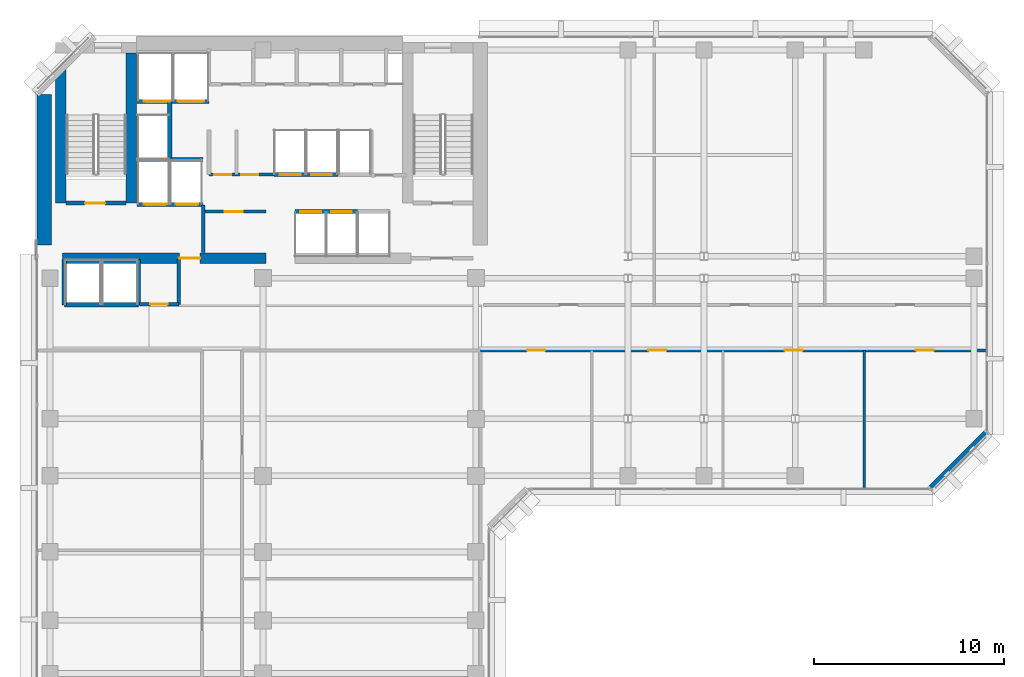
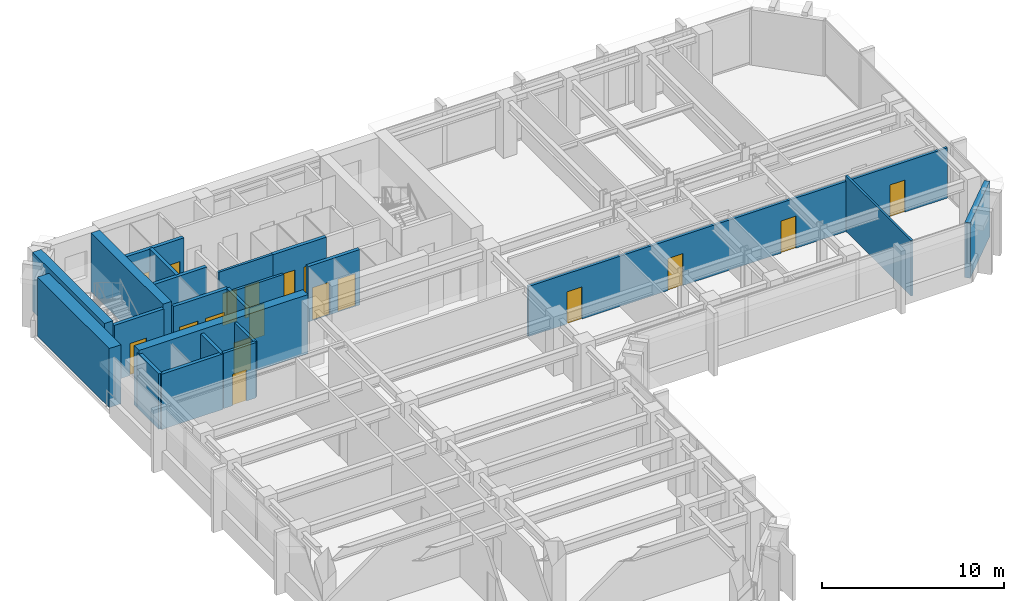
# One storey, part 7 of 11: 22 walls, 18 doors, 18 openings.
"""IFC4 building model written with IfcOpenShell, lengths in metres."""

from ifc_helpers import new_model, si_unit, direction, frame, frame_2d, origin, place, context, subcontext, project, spatial, rectangle, extrude, material, layer, layer_set, type_object, element, fill, save


model = new_model("IFC4")

# Units and contexts
model_context = context("Model", 3, precision=1e-05, world=origin(), true_north=direction((0.0, 1.0)))
body_context = subcontext(model_context, "Body", "Model", "MODEL_VIEW")
ifc_project = project(units=[si_unit("LENGTHUNIT", "METRE"), si_unit("AREAUNIT", "SQUARE_METRE"), si_unit("VOLUMEUNIT", "CUBIC_METRE"), si_unit("PLANEANGLEUNIT", "RADIAN"), si_unit("MASSUNIT", "GRAM", prefix="KILO")], contexts=[model_context])

# Site, building, storey
site_placement = place(None, origin())
site = spatial("IfcSite", under=ifc_project, at=site_placement, CompositionType="ELEMENT")
building_placement = place(site_placement, origin())
building = spatial("IfcBuilding", under=site, at=building_placement, Name="Kefirva Bronze Tower", CompositionType="ELEMENT")
storey_placement = place(building_placement, frame((0.0, 0.0, 158.72998046875)))
storey = spatial("IfcBuildingStorey", under=building, at=storey_placement, Name="L38", CompositionType="ELEMENT", Elevation=158.72998046875)

# Wall
ifc_material_1 = material(Name="Gypsum acoustic partition")
ifc_layer_1 = layer(ifc_material_1, 0.1298828125, Name="Gypsum acoustic partition")
ifc_layer_set_1 = layer_set([ifc_layer_1], Name="Gypsum acoustic partition")
wall_type_1 = type_object("IfcWallType", Name="Acoustic Office Partition 130mm", PredefinedType="PARTITIONING", material=ifc_layer_set_1)
wall_1_placement = place(storey_placement, frame((43.635498046875, 22.18994140625, 0.0), z_axis=(0.0, 0.0, 1.0), x_axis=(0.0, 1.0, 0.0)))
element("IfcWall", 1, at=wall_1_placement, inside=storey, type_object=wall_type_1, Name="L38 Partition W-L38-ESD3", PredefinedType="PARTITIONING", context=body_context, shape_type="SweptSolid", body=[
    extrude(rectangle(XDim=7.2099609375, YDim=0.1298828125, at=frame_2d((3.60498046875, 0.0))), origin(), (0.0, 0.0, 1.0), 3.7099609375),
])

# Wall, opening, door
ifc_material_2 = material(Name="Gypsum fireboard shaftwall")
ifc_layer_2 = layer(ifc_material_2, 0.219970703125, Name="Gypsum fireboard shaftwall")
ifc_layer_set_2 = layer_set([ifc_layer_2], Name="Gypsum fireboard shaftwall")
wall_type_2 = type_object("IfcWallType", Name="Fire-Rated Shaft Enclosure Wall 220mm", PredefinedType="PARTITIONING", material=ifc_layer_set_2)
wall_2_placement = place(storey_placement, frame((1.64990234375, 37.14990234375, 0.0), z_axis=(0.0, 0.0, 1.0), x_axis=(1.0, 0.0, 0.0)))
wall_2 = element("IfcWall", 2, at=wall_2_placement, inside=storey, type_object=wall_type_2, Name="L38 Partition W-L38-ST1S", PredefinedType="PARTITIONING", context=body_context, shape_type="SweptSolid", body=[
    extrude(rectangle(XDim=3.150146484375, YDim=0.219970703125, at=frame_2d((1.5751953125, 0.0))), origin(), (0.0, 0.0, 1.0), 3.7099609375),
])
opening_1_placement = place(wall_2_placement, frame((2.050048828125, 0.0, 0.0), z_axis=(0.0, 0.0, 1.0), x_axis=(-1.0, 0.0, 0.0)))
opening_1 = element("IfcOpeningElement", 3, at=opening_1_placement, cuts=wall_2, Name="Opening L38-D001", PredefinedType="OPENING", context=body_context, shape_type="SweptSolid", body=[
    extrude(rectangle(XDim=1.050048828125, YDim=2.14990234375, at=frame_2d((0.52490234375, 1.074951171875))), frame((0.0, 0.1201171875, 0.0), z_axis=(0.0, -1.0, 0.0), x_axis=(1.0, 0.0, 0.0)), (0.0, 0.0, 1.0), 0.239990234375),
])
ifc_material_3 = material(Name="Painted galvanized steel", Category="steel")
door_type_1 = type_object("IfcDoorType", Name="Fire Stair Enclosure Door 1050x2150 FD90S", OperationType="NOTDEFINED", PredefinedType="DOOR", material=ifc_material_3)
door_1_placement = place(opening_1_placement, origin())
door_1 = element("IfcDoor", 4, at=door_1_placement, inside=storey, type_object=door_type_1, Name="Door L38-D001", OperationType="SINGLE_SWING_RIGHT", OverallHeight=2.14990234375, OverallWidth=1.050048828125, PredefinedType="DOOR", context=body_context, shape_type="SweptSolid", body=[
    extrude(rectangle(XDim=1.050048828125, YDim=2.14990234375, at=frame_2d((0.52490234375, 1.074951171875))), frame((0.0, 0.02490234375, 0.0), z_axis=(0.0, -1.0, 0.0), x_axis=(1.0, 0.0, 0.0)), (0.0, 0.0, 1.0), 0.050048828125),
])
fill(opening_1, door_1)

# Wall, openings, doors
wall_3_placement = place(storey_placement, frame((5.3798828125, 37.080078125, 0.0), z_axis=(0.0, 0.0, 1.0), x_axis=(1.0, 0.0, 0.0)))
wall_3 = element("IfcWall", 5, at=wall_3_placement, inside=storey, type_object=wall_type_2, Name="L38 Partition W-L38-FFS", PredefinedType="PARTITIONING", context=body_context, shape_type="SweptSolid", body=[
    extrude(rectangle(XDim=3.460205078125, YDim=0.219970703125, at=frame_2d((1.72998046875, 0.0))), origin(), (0.0, 0.0, 1.0), 3.7099609375),
])
opening_2_placement = place(wall_3_placement, frame((1.550048828125, 0.0, 0.0), z_axis=(0.0, 0.0, 1.0), x_axis=(-1.0, 0.0, 0.0)))
opening_2 = element("IfcOpeningElement", 6, at=opening_2_placement, cuts=wall_3, Name="Opening L38-LD-FF1", PredefinedType="OPENING", context=body_context, shape_type="SweptSolid", body=[
    extrude(rectangle(XDim=1.199951171875, YDim=2.199951171875, at=frame_2d((0.60009765625, 1.10009765625))), frame((0.0, 0.1201171875, 0.0), z_axis=(0.0, -1.0, 0.0), x_axis=(1.0, 0.0, 0.0)), (0.0, 0.0, 1.0), 0.239990234375),
])
opening_3_placement = place(wall_3_placement, frame((3.219970703125, 0.0, 0.0), z_axis=(0.0, 0.0, 1.0), x_axis=(-1.0, 0.0, 0.0)))
opening_3 = element("IfcOpeningElement", 7, at=opening_3_placement, cuts=wall_3, Name="Opening L38-LD-FF2", PredefinedType="OPENING", context=body_context, shape_type="SweptSolid", body=[
    extrude(rectangle(XDim=1.199951171875, YDim=2.199951171875, at=frame_2d((0.60009765625, 1.10009765625))), frame((0.0, 0.1201171875, 0.0), z_axis=(0.0, -1.0, 0.0), x_axis=(1.0, 0.0, 0.0)), (0.0, 0.0, 1.0), 0.239990234375),
])
ifc_material_4 = material(Name="Stainless steel 316", Category="steel")
door_type_2 = type_object("IfcDoorType", Name="Firefighting Lift Sliding Door 1200x2200", OperationType="SLIDING_TO_RIGHT", PredefinedType="DOOR", material=ifc_material_4)
door_2_placement = place(opening_2_placement, origin())
door_2 = element("IfcDoor", 8, at=door_2_placement, inside=storey, type_object=door_type_2, Name="Door L38-LD-FF1", OperationType="SLIDING_TO_RIGHT", OverallHeight=2.199951171875, OverallWidth=1.199951171875, PredefinedType="DOOR", context=body_context, shape_type="SweptSolid", body=[
    extrude(rectangle(XDim=1.199951171875, YDim=2.199951171875, at=frame_2d((0.60009765625, 1.10009765625))), frame((0.0, 0.02490234375, 0.0), z_axis=(0.0, -1.0, 0.0), x_axis=(1.0, 0.0, 0.0)), (0.0, 0.0, 1.0), 0.050048828125),
])
fill(opening_2, door_2)
door_3_placement = place(opening_3_placement, origin())
door_3 = element("IfcDoor", 9, at=door_3_placement, inside=storey, type_object=door_type_2, Name="Door L38-LD-FF2", OperationType="SLIDING_TO_RIGHT", OverallHeight=2.199951171875, OverallWidth=1.199951171875, PredefinedType="DOOR", context=body_context, shape_type="SweptSolid", body=[
    extrude(rectangle(XDim=1.199951171875, YDim=2.199951171875, at=frame_2d((0.60009765625, 1.10009765625))), frame((0.0, 0.02490234375, 0.0), z_axis=(0.0, -1.0, 0.0), x_axis=(1.0, 0.0, 0.0)), (0.0, 0.0, 1.0), 0.050048828125),
])
fill(opening_3, door_3)

# Wall
wall_4_placement = place(storey_placement, frame((5.3798828125, 39.449951171875, 0.0), z_axis=(0.0, 0.0, 1.0), x_axis=(1.0, 0.0, 0.0)))
element("IfcWall", 10, at=wall_4_placement, inside=storey, type_object=wall_type_2, Name="L38 Partition W-L38-FFN", PredefinedType="PARTITIONING", context=body_context, shape_type="SweptSolid", body=[
    extrude(rectangle(XDim=3.460205078125, YDim=0.219970703125, at=frame_2d((1.72998046875, 0.0))), origin(), (0.0, 0.0, 1.0), 3.7099609375),
])

# Wall, openings, doors
wall_5_placement = place(storey_placement, frame((5.3798828125, 42.5, 0.0), z_axis=(0.0, 0.0, 1.0), x_axis=(1.0, 0.0, 0.0)))
wall_5 = element("IfcWall", 11, at=wall_5_placement, inside=storey, type_object=wall_type_2, Name="L38 Partition W-L38-SVS", PredefinedType="PARTITIONING", context=body_context, shape_type="SweptSolid", body=[
    extrude(rectangle(XDim=3.77001953125, YDim=0.219970703125, at=frame_2d((1.885009765625, 0.0))), origin(), (0.0, 0.0, 1.0), 3.7099609375),
])
opening_4_placement = place(wall_5_placement, frame((1.75, 0.0, 0.0), z_axis=(0.0, 0.0, 1.0), x_axis=(-1.0, 0.0, 0.0)))
opening_4 = element("IfcOpeningElement", 12, at=opening_4_placement, cuts=wall_5, Name="Opening L38-LD-SV1", PredefinedType="OPENING", context=body_context, shape_type="SweptSolid", body=[
    extrude(rectangle(XDim=1.39990234375, YDim=2.199951171875, at=frame_2d((0.699951171875, 1.10009765625))), frame((0.0, 0.1201171875, 0.0), z_axis=(0.0, -1.0, 0.0), x_axis=(1.0, 0.0, 0.0)), (0.0, 0.0, 1.0), 0.239990234375),
])
opening_5_placement = place(wall_5_placement, frame((3.52978515625, 0.0, 0.0), z_axis=(0.0, 0.0, 1.0), x_axis=(-1.0, 0.0, 0.0)))
opening_5 = element("IfcOpeningElement", 13, at=opening_5_placement, cuts=wall_5, Name="Opening L38-LD-SV2", PredefinedType="OPENING", context=body_context, shape_type="SweptSolid", body=[
    extrude(rectangle(XDim=1.39990234375, YDim=2.199951171875, at=frame_2d((0.699951171875, 1.10009765625))), frame((0.0, 0.1201171875, 0.0), z_axis=(0.0, -1.0, 0.0), x_axis=(1.0, 0.0, 0.0)), (0.0, 0.0, 1.0), 0.239990234375),
])
door_type_3 = type_object("IfcDoorType", Name="Goods Lift Bi-Parting Sliding Door 1400x2200", OperationType="SLIDING_TO_LEFT", PredefinedType="DOOR", material=ifc_material_4)
door_4_placement = place(opening_4_placement, origin())
door_4 = element("IfcDoor", 14, at=door_4_placement, inside=storey, type_object=door_type_3, Name="Door L38-LD-SV1", OperationType="SLIDING_TO_LEFT", OverallHeight=2.199951171875, OverallWidth=1.39990234375, PredefinedType="DOOR", context=body_context, shape_type="SweptSolid", body=[
    extrude(rectangle(XDim=1.39990234375, YDim=2.199951171875, at=frame_2d((0.699951171875, 1.10009765625))), frame((0.0, 0.02490234375, 0.0), z_axis=(0.0, -1.0, 0.0), x_axis=(1.0, 0.0, 0.0)), (0.0, 0.0, 1.0), 0.050048828125),
])
fill(opening_4, door_4)
door_5_placement = place(opening_5_placement, origin())
door_5 = element("IfcDoor", 15, at=door_5_placement, inside=storey, type_object=door_type_3, Name="Door L38-LD-SV2", OperationType="SLIDING_TO_LEFT", OverallHeight=2.199951171875, OverallWidth=1.39990234375, PredefinedType="DOOR", context=body_context, shape_type="SweptSolid", body=[
    extrude(rectangle(XDim=1.39990234375, YDim=2.199951171875, at=frame_2d((0.699951171875, 1.10009765625))), frame((0.0, 0.02490234375, 0.0), z_axis=(0.0, -1.0, 0.0), x_axis=(1.0, 0.0, 0.0)), (0.0, 0.0, 1.0), 0.050048828125),
])
fill(opening_5, door_5)

# Walls
wall_6_placement = place(storey_placement, frame((7.10009765625, 39.52001953125, 0.0), z_axis=(0.0, 0.0, 1.0), x_axis=(0.0, 1.0, 0.0)))
element("IfcWall", 16, at=wall_6_placement, inside=storey, type_object=wall_type_2, Name="L38 Partition W-L38-HP3E", PredefinedType="PARTITIONING", context=body_context, shape_type="SweptSolid", body=[
    extrude(rectangle(XDim=2.929931640625, YDim=0.219970703125, at=frame_2d((1.46484375, 0.0))), origin(), (0.0, 0.0, 1.0), 3.7099609375),
])
wall_7_placement = place(storey_placement, frame((1.550048828125, 31.800048828125, 0.0), z_axis=(0.0, 0.0, 1.0), x_axis=(1.0, 0.0, 0.0)))
element("IfcWall", 17, at=wall_7_placement, inside=storey, type_object=wall_type_2, Name="L38 Partition W-L38-OBS", PredefinedType="PARTITIONING", context=body_context, shape_type="SweptSolid", body=[
    extrude(rectangle(XDim=3.89990234375, YDim=0.219970703125, at=frame_2d((1.949951171875, 0.0))), origin(), (0.0, 0.0, 1.0), 3.7099609375),
])
for number, where, z_axis, x_axis, name in (
    (18, (1.550048828125, 31.800048828125, 0.0), (0.0, 0.0, 1.0), (0.0, 1.0, 0.0), "L38 Partition W-L38-OBW"),
    (19, (5.449951171875, 31.800048828125, 0.0), (0.0, 0.0, 1.0), (0.0, 1.0, 0.0), "L38 Partition W-L38-OBE"),
):
    element("IfcWall", number, at=place(storey_placement, frame(where, z_axis=z_axis, x_axis=x_axis)), inside=storey, type_object=wall_type_2, Name=name, PredefinedType="PARTITIONING", context=body_context, shape_type="SweptSolid", body=[
        extrude(rectangle(XDim=2.3798828125, YDim=0.219970703125, at=frame_2d((1.18994140625, 0.0))), origin(), (0.0, 0.0, 1.0), 3.7099609375),
    ])

# Wall, openings, doors
wall_8_placement = place(storey_placement, frame((13.679931640625, 36.699951171875, 0.0), z_axis=(0.0, 0.0, 1.0), x_axis=(1.0, 0.0, 0.0)))
wall_8 = element("IfcWall", 20, at=wall_8_placement, inside=storey, type_object=wall_type_2, Name="L38 Partition W-L38-MPS", PredefinedType="PARTITIONING", context=body_context, shape_type="SweptSolid", body=[
    extrude(rectangle(XDim=3.280029296875, YDim=0.219970703125, at=frame_2d((1.64013671875, 0.0))), origin(), (0.0, 0.0, 1.0), 3.7099609375),
])
opening_6_placement = place(wall_8_placement, frame((0.280029296875, 0.0, 0.0)))
opening_6 = element("IfcOpeningElement", 21, at=opening_6_placement, cuts=wall_8, Name="Opening L38-LD-MP1", PredefinedType="OPENING", context=body_context, shape_type="SweptSolid", body=[
    extrude(rectangle(XDim=1.10009765625, YDim=2.199951171875, at=frame_2d((0.550048828125, 1.10009765625))), frame((0.0, 0.1201171875, 0.0), z_axis=(0.0, -1.0, 0.0), x_axis=(1.0, 0.0, 0.0)), (0.0, 0.0, 1.0), 0.239990234375),
])
opening_7_placement = place(wall_8_placement, frame((1.89990234375, 0.0, 0.0)))
opening_7 = element("IfcOpeningElement", 22, at=opening_7_placement, cuts=wall_8, Name="Opening L38-LD-MP2", PredefinedType="OPENING", context=body_context, shape_type="SweptSolid", body=[
    extrude(rectangle(XDim=1.10009765625, YDim=2.199951171875, at=frame_2d((0.550048828125, 1.10009765625))), frame((0.0, 0.1201171875, 0.0), z_axis=(0.0, -1.0, 0.0), x_axis=(1.0, 0.0, 0.0)), (0.0, 0.0, 1.0), 0.239990234375),
])
door_type_4 = type_object("IfcDoorType", Name="Passenger Lift Sliding Landing Door 1100x2200", OperationType="SLIDING_TO_LEFT", PredefinedType="DOOR", material=ifc_material_4)
door_6_placement = place(opening_6_placement, origin())
door_6 = element("IfcDoor", 23, at=door_6_placement, inside=storey, type_object=door_type_4, Name="Door L38-LD-MP1", OperationType="SLIDING_TO_RIGHT", OverallHeight=2.199951171875, OverallWidth=1.10009765625, PredefinedType="DOOR", context=body_context, shape_type="SweptSolid", body=[
    extrude(rectangle(XDim=1.10009765625, YDim=2.199951171875, at=frame_2d((0.550048828125, 1.10009765625))), frame((0.0, 0.02490234375, 0.0), z_axis=(0.0, -1.0, 0.0), x_axis=(1.0, 0.0, 0.0)), (0.0, 0.0, 1.0), 0.050048828125),
])
fill(opening_6, door_6)
door_7_placement = place(opening_7_placement, origin())
door_7 = element("IfcDoor", 24, at=door_7_placement, inside=storey, type_object=door_type_4, Name="Door L38-LD-MP2", OperationType="SLIDING_TO_RIGHT", OverallHeight=2.199951171875, OverallWidth=1.10009765625, PredefinedType="DOOR", context=body_context, shape_type="SweptSolid", body=[
    extrude(rectangle(XDim=1.10009765625, YDim=2.199951171875, at=frame_2d((0.550048828125, 1.10009765625))), frame((0.0, 0.02490234375, 0.0), z_axis=(0.0, -1.0, 0.0), x_axis=(1.0, 0.0, 0.0)), (0.0, 0.0, 1.0), 0.050048828125),
])
fill(opening_7, door_7)

wall_9_placement = place(storey_placement, frame((12.580078125, 38.64990234375, 0.0), z_axis=(0.0, 0.0, 1.0), x_axis=(1.0, 0.0, 0.0)))
wall_9 = element("IfcWall", 25, at=wall_9_placement, inside=storey, type_object=wall_type_2, Name="L38 Partition W-L38-MPN", PredefinedType="PARTITIONING", context=body_context, shape_type="SweptSolid", body=[
    extrude(rectangle(XDim=3.3798828125, YDim=0.219970703125, at=frame_2d((1.68994140625, 0.0))), origin(), (0.0, 0.0, 1.0), 3.7099609375),
])
opening_8_placement = place(wall_9_placement, frame((0.300048828125, 0.0, 0.0)))
opening_8 = element("IfcOpeningElement", 26, at=opening_8_placement, cuts=wall_9, Name="Opening L38-LD-MP3", PredefinedType="OPENING", context=body_context, shape_type="SweptSolid", body=[
    extrude(rectangle(XDim=1.10009765625, YDim=2.199951171875, at=frame_2d((0.550048828125, 1.10009765625))), frame((0.0, 0.1201171875, 0.0), z_axis=(0.0, -1.0, 0.0), x_axis=(1.0, 0.0, 0.0)), (0.0, 0.0, 1.0), 0.239990234375),
])
opening_9_placement = place(wall_9_placement, frame((1.949951171875, 0.0, 0.0)))
opening_9 = element("IfcOpeningElement", 27, at=opening_9_placement, cuts=wall_9, Name="Opening L38-LD-MP4", PredefinedType="OPENING", context=body_context, shape_type="SweptSolid", body=[
    extrude(rectangle(XDim=1.10009765625, YDim=2.199951171875, at=frame_2d((0.550048828125, 1.10009765625))), frame((0.0, 0.1201171875, 0.0), z_axis=(0.0, -1.0, 0.0), x_axis=(1.0, 0.0, 0.0)), (0.0, 0.0, 1.0), 0.239990234375),
])
door_8_placement = place(opening_8_placement, origin())
door_8 = element("IfcDoor", 28, at=door_8_placement, inside=storey, type_object=door_type_4, Name="Door L38-LD-MP3", OperationType="SLIDING_TO_RIGHT", OverallHeight=2.199951171875, OverallWidth=1.10009765625, PredefinedType="DOOR", context=body_context, shape_type="SweptSolid", body=[
    extrude(rectangle(XDim=1.10009765625, YDim=2.199951171875, at=frame_2d((0.550048828125, 1.10009765625))), frame((0.0, 0.02490234375, 0.0), z_axis=(0.0, -1.0, 0.0), x_axis=(1.0, 0.0, 0.0)), (0.0, 0.0, 1.0), 0.050048828125),
])
fill(opening_8, door_8)
door_9_placement = place(opening_9_placement, origin())
door_9 = element("IfcDoor", 29, at=door_9_placement, inside=storey, type_object=door_type_4, Name="Door L38-LD-MP4", OperationType="SLIDING_TO_RIGHT", OverallHeight=2.199951171875, OverallWidth=1.10009765625, PredefinedType="DOOR", context=body_context, shape_type="SweptSolid", body=[
    extrude(rectangle(XDim=1.10009765625, YDim=2.199951171875, at=frame_2d((0.550048828125, 1.10009765625))), frame((0.0, 0.02490234375, 0.0), z_axis=(0.0, -1.0, 0.0), x_axis=(1.0, 0.0, 0.0)), (0.0, 0.0, 1.0), 0.050048828125),
])
fill(opening_9, door_9)

# Walls
ifc_material_5 = material(Name="Gypsum fireboard barrier")
ifc_layer_3 = layer(ifc_material_5, 0.199951171875, Name="Gypsum fireboard barrier")
ifc_layer_set_3 = layer_set([ifc_layer_3], Name="Gypsum fireboard barrier")
wall_type_3 = type_object("IfcWallType", Name="Firefighting Lobby Barrier Wall 200mm", PredefinedType="PARTITIONING", material=ifc_layer_set_3)
wall_10_placement = place(storey_placement, frame((8.860107421875, 34.550048828125, 0.0), z_axis=(0.0, 0.0, 1.0), x_axis=(0.0, 1.0, 0.0)))
element("IfcWall", 30, at=wall_10_placement, inside=storey, type_object=wall_type_3, Name="L38 Partition W-L38-FFLE", PredefinedType="PARTITIONING", context=body_context, shape_type="SweptSolid", body=[
    extrude(rectangle(XDim=2.5, YDim=0.199951171875, at=frame_2d((1.25, 0.0))), origin(), (0.0, 0.0, 1.0), 3.7099609375),
])
ifc_material_6 = material(Name="Precast concrete C40/50", Category="concrete")
ifc_layer_4 = layer(ifc_material_6, 0.320068359375, Name="Precast concrete C40/50")
ifc_layer_set_4 = layer_set([ifc_layer_4], Name="Precast concrete C40/50")
wall_type_4 = type_object("IfcWallType", Name="Precast Insulated Exterior Wall 320mm", PredefinedType="SOLIDWALL", material=ifc_layer_set_4)
wall_11_placement = place(storey_placement, frame((47.125732421875, 22.152099609375, 0.0), z_axis=(0.0, 0.0, 1.0), x_axis=(0.707136318428, 0.707077242712, 0.0)))
element("IfcWall", 31, at=wall_11_placement, inside=storey, type_object=wall_type_4, Name="L38 Exterior Facade Wall 3", PredefinedType="SOLIDWALL", context=body_context, shape_type="SweptSolid", body=[
    extrude(rectangle(XDim=4.132568359375, YDim=0.320068359375, at=frame_2d((2.06640625, 0.0))), origin(), (0.0, 0.0, 1.0), 3.7099609375),
])

# Wall, opening, door
ifc_layer_5 = layer(ifc_material_1, 0.159912109375, Name="Gypsum acoustic partition")
ifc_layer_set_5 = layer_set([ifc_layer_5], Name="Gypsum acoustic partition")
wall_type_5 = type_object("IfcWallType", Name="Protected Corridor Partition 160mm", PredefinedType="PARTITIONING", material=ifc_layer_set_5)
wall_12_placement = place(storey_placement, frame((8.89990234375, 36.699951171875, 0.0), z_axis=(0.0, 0.0, 1.0), x_axis=(1.0, 0.0, 0.0)))
wall_12 = element("IfcWall", 32, at=wall_12_placement, inside=storey, type_object=wall_type_5, Name="L38 Partition W-L38-RECLP1", PredefinedType="PARTITIONING", context=body_context, shape_type="SweptSolid", body=[
    extrude(rectangle(XDim=3.25, YDim=0.159912109375, at=frame_2d((1.625, 0.0))), origin(), (0.0, 0.0, 1.0), 3.7099609375),
])
opening_10_placement = place(wall_12_placement, frame((1.10009765625, 0.0, 0.0)))
opening_10 = element("IfcOpeningElement", 33, at=opening_10_placement, cuts=wall_12, Name="Opening L38-D-RECLP1", PredefinedType="OPENING", context=body_context, shape_type="SweptSolid", body=[
    extrude(rectangle(XDim=0.949951171875, YDim=2.14990234375, at=frame_2d((0.47509765625, 1.074951171875))), frame((0.0, 0.08984375, 0.0), z_axis=(0.0, -1.0, 0.0), x_axis=(1.0, 0.0, 0.0)), (0.0, 0.0, 1.0), 0.179931640625),
])
ifc_material_7 = material(Name="Acoustic hardwood oak", Category="wood")
door_type_5 = type_object("IfcDoorType", Name="Office & Meeting Room Door 950x2150", OperationType="NOTDEFINED", PredefinedType="DOOR", material=ifc_material_7)
door_10_placement = place(opening_10_placement, origin())
door_10 = element("IfcDoor", 34, at=door_10_placement, inside=storey, type_object=door_type_5, Name="Door L38-D-RECLP1", OperationType="SINGLE_SWING_RIGHT", OverallHeight=2.14990234375, OverallWidth=0.949951171875, PredefinedType="DOOR", context=body_context, shape_type="SweptSolid", body=[
    extrude(rectangle(XDim=0.949951171875, YDim=2.14990234375, at=frame_2d((0.47509765625, 1.074951171875))), frame((0.0, 0.02490234375, 0.0), z_axis=(0.0, -1.0, 0.0), x_axis=(1.0, 0.0, 0.0)), (0.0, 0.0, 1.0), 0.050048828125),
])
fill(opening_10, door_10)

# Wall, openings, doors
wall_13_placement = place(storey_placement, frame((9.159912109375, 38.64990234375, 0.0), z_axis=(0.0, 0.0, 1.0), x_axis=(1.0, 0.0, 0.0)))
wall_13 = element("IfcWall", 35, at=wall_13_placement, inside=storey, type_object=wall_type_5, Name="L38 Partition W-L38-RECLP2", PredefinedType="PARTITIONING", context=body_context, shape_type="SweptSolid", body=[
    extrude(rectangle(XDim=3.420166015625, YDim=0.159912109375, at=frame_2d((1.7099609375, 0.0))), origin(), (0.0, 0.0, 1.0), 3.7099609375),
])
opening_11_placement = place(wall_13_placement, frame((1.179931640625, 0.0, 0.0), z_axis=(0.0, 0.0, 1.0), x_axis=(-1.0, 0.0, 0.0)))
opening_11 = element("IfcOpeningElement", 36, at=opening_11_placement, cuts=wall_13, Name="Opening L38-D-RECLP2A", PredefinedType="OPENING", context=body_context, shape_type="SweptSolid", body=[
    extrude(rectangle(XDim=0.89990234375, YDim=2.14990234375, at=frame_2d((0.449951171875, 1.074951171875))), frame((0.0, 0.08984375, 0.0), z_axis=(0.0, -1.0, 0.0), x_axis=(1.0, 0.0, 0.0)), (0.0, 0.0, 1.0), 0.179931640625),
])
opening_12_placement = place(wall_13_placement, frame((2.599853515625, 0.0, 0.0), z_axis=(0.0, 0.0, 1.0), x_axis=(-1.0, 0.0, 0.0)))
opening_12 = element("IfcOpeningElement", 37, at=opening_12_placement, cuts=wall_13, Name="Opening L38-D-RECLP2B", PredefinedType="OPENING", context=body_context, shape_type="SweptSolid", body=[
    extrude(rectangle(XDim=0.89990234375, YDim=2.14990234375, at=frame_2d((0.449951171875, 1.074951171875))), frame((0.0, 0.08984375, 0.0), z_axis=(0.0, -1.0, 0.0), x_axis=(1.0, 0.0, 0.0)), (0.0, 0.0, 1.0), 0.179931640625),
])
door_type_6 = type_object("IfcDoorType", Name="Core Archive & Server Fire Door 900x2150 FD60S", OperationType="NOTDEFINED", PredefinedType="DOOR", material=ifc_material_3)
door_11_placement = place(opening_11_placement, origin())
door_11 = element("IfcDoor", 38, at=door_11_placement, inside=storey, type_object=door_type_6, Name="Door L38-D-RECLP2A", OperationType="SINGLE_SWING_LEFT", OverallHeight=2.14990234375, OverallWidth=0.89990234375, PredefinedType="DOOR", context=body_context, shape_type="SweptSolid", body=[
    extrude(rectangle(XDim=0.89990234375, YDim=2.14990234375, at=frame_2d((0.449951171875, 1.074951171875))), frame((0.0, 0.02490234375, 0.0), z_axis=(0.0, -1.0, 0.0), x_axis=(1.0, 0.0, 0.0)), (0.0, 0.0, 1.0), 0.050048828125),
])
fill(opening_11, door_11)
door_12_placement = place(opening_12_placement, origin())
door_12 = element("IfcDoor", 39, at=door_12_placement, inside=storey, type_object=door_type_6, Name="Door L38-D-RECLP2B", OperationType="SINGLE_SWING_RIGHT", OverallHeight=2.14990234375, OverallWidth=0.89990234375, PredefinedType="DOOR", context=body_context, shape_type="SweptSolid", body=[
    extrude(rectangle(XDim=0.89990234375, YDim=2.14990234375, at=frame_2d((0.449951171875, 1.074951171875))), frame((0.0, 0.02490234375, 0.0), z_axis=(0.0, -1.0, 0.0), x_axis=(1.0, 0.0, 0.0)), (0.0, 0.0, 1.0), 0.050048828125),
])
fill(opening_12, door_12)

wall_14_placement = place(storey_placement, frame((23.449951171875, 29.39990234375, 0.0), z_axis=(0.0, 0.0, 1.0), x_axis=(1.0, 0.0, 0.0)))
wall_14 = element("IfcWall", 40, at=wall_14_placement, inside=storey, type_object=wall_type_5, Name="L38 Partition W-L38-EWS", PredefinedType="PARTITIONING", context=body_context, shape_type="SweptSolid", body=[
    extrude(rectangle(XDim=26.56005859375, YDim=0.159912109375, at=frame_2d((13.280029296875, 0.0))), origin(), (0.0, 0.0, 1.0), 3.364990234375),
])
opening_13_placement = place(wall_14_placement, frame((3.396484375, 0.0, 0.0), z_axis=(0.0, 0.0, 1.0), x_axis=(-1.0, 0.0, 0.0)))
opening_13 = element("IfcOpeningElement", 41, at=opening_13_placement, cuts=wall_14, Name="Opening L38-D-ES1", PredefinedType="OPENING", context=body_context, shape_type="SweptSolid", body=[
    extrude(rectangle(XDim=0.949951171875, YDim=2.14990234375, at=frame_2d((0.47509765625, 1.074951171875))), frame((0.0, 0.08984375, 0.0), z_axis=(0.0, -1.0, 0.0), x_axis=(1.0, 0.0, 0.0)), (0.0, 0.0, 1.0), 0.179931640625),
])
opening_14_placement = place(wall_14_placement, frame((9.77099609375, 0.0, 0.0), z_axis=(0.0, 0.0, 1.0), x_axis=(-1.0, 0.0, 0.0)))
opening_14 = element("IfcOpeningElement", 42, at=opening_14_placement, cuts=wall_14, Name="Opening L38-D-ES2", PredefinedType="OPENING", context=body_context, shape_type="SweptSolid", body=[
    extrude(rectangle(XDim=0.949951171875, YDim=2.14990234375, at=frame_2d((0.47509765625, 1.074951171875))), frame((0.0, 0.08984375, 0.0), z_axis=(0.0, -1.0, 0.0), x_axis=(1.0, 0.0, 0.0)), (0.0, 0.0, 1.0), 0.179931640625),
])
opening_15_placement = place(wall_14_placement, frame((16.942138671875, 0.0, 0.0), z_axis=(0.0, 0.0, 1.0), x_axis=(-1.0, 0.0, 0.0)))
opening_15 = element("IfcOpeningElement", 43, at=opening_15_placement, cuts=wall_14, Name="Opening L38-D-ES3", PredefinedType="OPENING", context=body_context, shape_type="SweptSolid", body=[
    extrude(rectangle(XDim=0.949951171875, YDim=2.14990234375, at=frame_2d((0.47509765625, 1.074951171875))), frame((0.0, 0.08984375, 0.0), z_axis=(0.0, -1.0, 0.0), x_axis=(1.0, 0.0, 0.0)), (0.0, 0.0, 1.0), 0.179931640625),
])
opening_16_placement = place(wall_14_placement, frame((23.84765625, 0.0, 0.0), z_axis=(0.0, 0.0, 1.0), x_axis=(-1.0, 0.0, 0.0)))
opening_16 = element("IfcOpeningElement", 44, at=opening_16_placement, cuts=wall_14, Name="Opening L38-D-ES4", PredefinedType="OPENING", context=body_context, shape_type="SweptSolid", body=[
    extrude(rectangle(XDim=0.949951171875, YDim=2.14990234375, at=frame_2d((0.47509765625, 1.074951171875))), frame((0.0, 0.08984375, 0.0), z_axis=(0.0, -1.0, 0.0), x_axis=(1.0, 0.0, 0.0)), (0.0, 0.0, 1.0), 0.179931640625),
])
door_13_placement = place(opening_13_placement, origin())
door_13 = element("IfcDoor", 45, at=door_13_placement, inside=storey, type_object=door_type_5, Name="Door L38-D-ES1", OperationType="SINGLE_SWING_LEFT", OverallHeight=2.14990234375, OverallWidth=0.949951171875, PredefinedType="DOOR", context=body_context, shape_type="SweptSolid", body=[
    extrude(rectangle(XDim=0.949951171875, YDim=2.14990234375, at=frame_2d((0.47509765625, 1.074951171875))), frame((0.0, 0.02490234375, 0.0), z_axis=(0.0, -1.0, 0.0), x_axis=(1.0, 0.0, 0.0)), (0.0, 0.0, 1.0), 0.050048828125),
])
fill(opening_13, door_13)
door_14_placement = place(opening_14_placement, origin())
door_14 = element("IfcDoor", 46, at=door_14_placement, inside=storey, type_object=door_type_5, Name="Door L38-D-ES2", OperationType="SINGLE_SWING_RIGHT", OverallHeight=2.14990234375, OverallWidth=0.949951171875, PredefinedType="DOOR", context=body_context, shape_type="SweptSolid", body=[
    extrude(rectangle(XDim=0.949951171875, YDim=2.14990234375, at=frame_2d((0.47509765625, 1.074951171875))), frame((0.0, 0.02490234375, 0.0), z_axis=(0.0, -1.0, 0.0), x_axis=(1.0, 0.0, 0.0)), (0.0, 0.0, 1.0), 0.050048828125),
])
fill(opening_14, door_14)
door_15_placement = place(opening_15_placement, origin())
door_15 = element("IfcDoor", 47, at=door_15_placement, inside=storey, type_object=door_type_5, Name="Door L38-D-ES3", OperationType="SINGLE_SWING_LEFT", OverallHeight=2.14990234375, OverallWidth=0.949951171875, PredefinedType="DOOR", context=body_context, shape_type="SweptSolid", body=[
    extrude(rectangle(XDim=0.949951171875, YDim=2.14990234375, at=frame_2d((0.47509765625, 1.074951171875))), frame((0.0, 0.02490234375, 0.0), z_axis=(0.0, -1.0, 0.0), x_axis=(1.0, 0.0, 0.0)), (0.0, 0.0, 1.0), 0.050048828125),
])
fill(opening_15, door_15)
door_16_placement = place(opening_16_placement, origin())
door_16 = element("IfcDoor", 48, at=door_16_placement, inside=storey, type_object=door_type_5, Name="Door L38-D-ES4", OperationType="SINGLE_SWING_RIGHT", OverallHeight=2.14990234375, OverallWidth=0.949951171875, PredefinedType="DOOR", context=body_context, shape_type="SweptSolid", body=[
    extrude(rectangle(XDim=0.949951171875, YDim=2.14990234375, at=frame_2d((0.47509765625, 1.074951171875))), frame((0.0, 0.02490234375, 0.0), z_axis=(0.0, -1.0, 0.0), x_axis=(1.0, 0.0, 0.0)), (0.0, 0.0, 1.0), 0.050048828125),
])
fill(opening_16, door_16)

# Walls
ifc_material_8 = material(Name="Concrete C60/75", Category="concrete")
ifc_layer_6 = layer(ifc_material_8, 0.75, Name="Concrete C60/75")
ifc_layer_set_6 = layer_set([ifc_layer_6], Name="Concrete C60/75")
wall_type_6 = type_object("IfcWallType", Name="RC Rear Core Exterior Wall 750mm", PredefinedType="SHEAR", material=ifc_layer_set_6)
wall_15_placement = place(storey_placement, frame((0.5, 34.949951171875, 0.0), z_axis=(0.0, 0.0, 1.0), x_axis=(0.0, 1.0, 0.0)))
element("IfcWall", 49, at=wall_15_placement, inside=storey, type_object=wall_type_6, Name="L38 Rear Core West Shear Wall", PredefinedType="SHEAR", context=body_context, shape_type="SweptSolid", body=[
    extrude(rectangle(XDim=7.900146484375, YDim=0.75, at=frame_2d((3.9501953125, 0.0))), origin(), (0.0, 0.0, 1.0), 3.9599609375),
])
ifc_material_9 = material(Name="Concrete C50/60", Category="concrete")
ifc_layer_7 = layer(ifc_material_9, 0.550048828125, Name="Concrete C50/60")
ifc_layer_set_7 = layer_set([ifc_layer_7], Name="Concrete C50/60")
wall_type_7 = type_object("IfcWallType", Name="RC Rear Core Interior Wall 550mm", PredefinedType="SHEAR", material=ifc_layer_set_7)
for number, where, z_axis, x_axis, name in (
    (50, (1.3701171875, 37.14990234375, 0.0), (0.0, 0.0, 1.0), (0.0, 1.0, 0.0), "L38 Stair 1 West Shear Wall"),
    (51, (5.070068359375, 37.14990234375, 0.0), (0.0, 0.0, 1.0), (0.0, 1.0, 0.0), "L38 Stair 1 East Shear Wall"),
):
    element("IfcWall", number, at=place(storey_placement, frame(where, z_axis=z_axis, x_axis=x_axis)), inside=storey, type_object=wall_type_7, Name=name, PredefinedType="SHEAR", context=body_context, shape_type="SweptSolid", body=[
        extrude(rectangle(XDim=7.89013671875, YDim=0.550048828125, at=frame_2d((3.945068359375, 0.0))), origin(), (0.0, 0.0, 1.0), 3.9599609375),
    ])

# Wall, opening, door
ifc_layer_8 = layer(ifc_material_8, 0.75, Name="Concrete C60/75")
ifc_layer_set_8 = layer_set([ifc_layer_8], Name="Concrete C60/75")
wall_type_8 = type_object("IfcWallType", Name="RC Rear Core Interior Wall 750mm", PredefinedType="SHEAR", material=ifc_layer_set_8)
wall_16_placement = place(storey_placement, frame((1.449951171875, 34.25, 0.0), z_axis=(0.0, 0.0, 1.0), x_axis=(1.0, 0.0, 0.0)))
wall_16 = element("IfcWall", 52, at=wall_16_placement, inside=storey, type_object=wall_type_8, Name="L38 Rear Core South-West Shear Wall", PredefinedType="SHEAR", context=body_context, shape_type="SweptSolid", body=[
    extrude(rectangle(XDim=10.7099609375, YDim=0.550048828125, at=frame_2d((5.35498046875, 0.0))), origin(), (0.0, 0.0, 1.0), 3.9599609375),
])
opening_17_placement = place(wall_16_placement, frame((7.25, 0.0, 0.0), z_axis=(0.0, 0.0, 1.0), x_axis=(-1.0, 0.0, 0.0)))
opening_17 = element("IfcOpeningElement", 53, at=opening_17_placement, cuts=wall_16, Name="Opening L38-D002", PredefinedType="OPENING", context=body_context, shape_type="SweptSolid", body=[
    extrude(rectangle(XDim=1.10009765625, YDim=2.14990234375, at=frame_2d((0.550048828125, 1.074951171875))), frame((0.0, 0.28515625, 0.0), z_axis=(0.0, -1.0, 0.0), x_axis=(1.0, 0.0, 0.0)), (0.0, 0.0, 1.0), 0.570068359375),
])
door_type_7 = type_object("IfcDoorType", Name="Firefighting Lobby Smoke Door 1100x2150 FD60S", OperationType="NOTDEFINED", PredefinedType="DOOR", material=ifc_material_3)
door_17_placement = place(opening_17_placement, origin())
door_17 = element("IfcDoor", 54, at=door_17_placement, inside=storey, type_object=door_type_7, Name="Door L38-D002", OperationType="SINGLE_SWING_LEFT", OverallHeight=2.14990234375, OverallWidth=1.10009765625, PredefinedType="DOOR", context=body_context, shape_type="SweptSolid", body=[
    extrude(rectangle(XDim=1.10009765625, YDim=2.14990234375, at=frame_2d((0.550048828125, 1.074951171875))), frame((0.0, 0.02490234375, 0.0), z_axis=(0.0, -1.0, 0.0), x_axis=(1.0, 0.0, 0.0)), (0.0, 0.0, 1.0), 0.050048828125),
])
fill(opening_17, door_17)

ifc_material_10 = material(Name="Moisture-resistant partition")
ifc_layer_9 = layer(ifc_material_10, 0.179931640625, Name="Moisture-resistant partition")
ifc_layer_set_9 = layer_set([ifc_layer_9], Name="Moisture-resistant partition")
wall_type_9 = type_object("IfcWallType", Name="Sanitary Plumbing Chase Wall 180mm", PredefinedType="PLUMBINGWALL", material=ifc_layer_set_9)
wall_17_placement = place(storey_placement, frame((5.5, 31.820068359375, 0.0), z_axis=(0.0, 0.0, 1.0), x_axis=(1.0, 0.0, 0.0)))
wall_17 = element("IfcWall", 55, at=wall_17_placement, inside=storey, type_object=wall_type_9, Name="L38 Partition W-L38-TCS", PredefinedType="PLUMBINGWALL", context=body_context, shape_type="SweptSolid", body=[
    extrude(rectangle(XDim=2.080078125, YDim=0.179931640625, at=frame_2d((1.0400390625, 0.0))), origin(), (0.0, 0.0, 1.0), 3.7099609375),
])
opening_18_placement = place(wall_17_placement, frame((1.47998046875, 0.0, 0.0), z_axis=(0.0, 0.0, 1.0), x_axis=(-1.0, 0.0, 0.0)))
opening_18 = element("IfcOpeningElement", 56, at=opening_18_placement, cuts=wall_17, Name="Opening L38-D-TCL1", PredefinedType="OPENING", context=body_context, shape_type="SweptSolid", body=[
    extrude(rectangle(XDim=0.89990234375, YDim=2.10009765625, at=frame_2d((0.449951171875, 1.050048828125))), frame((0.0, 0.10009765625, 0.0), z_axis=(0.0, -1.0, 0.0), x_axis=(1.0, 0.0, 0.0)), (0.0, 0.0, 1.0), 0.199951171875),
])
door_type_8 = type_object("IfcDoorType", Name="Telecom & Meter Fire Door 900x2100 FD60S", OperationType="NOTDEFINED", PredefinedType="DOOR", material=ifc_material_3)
door_18_placement = place(opening_18_placement, origin())
door_18 = element("IfcDoor", 57, at=door_18_placement, inside=storey, type_object=door_type_8, Name="Door L38-D-TCL1", OperationType="SINGLE_SWING_LEFT", OverallHeight=2.10009765625, OverallWidth=0.89990234375, PredefinedType="DOOR", context=body_context, shape_type="SweptSolid", body=[
    extrude(rectangle(XDim=0.89990234375, YDim=2.10009765625, at=frame_2d((0.449951171875, 1.050048828125))), frame((0.0, 0.02490234375, 0.0), z_axis=(0.0, -1.0, 0.0), x_axis=(1.0, 0.0, 0.0)), (0.0, 0.0, 1.0), 0.050048828125),
])
fill(opening_18, door_18)

# Wall
wall_18_placement = place(storey_placement, frame((7.580078125, 31.820068359375, 0.0), z_axis=(0.0, 0.0, 1.0), x_axis=(0.0, 1.0, 0.0)))
element("IfcWall", 58, at=wall_18_placement, inside=storey, type_object=wall_type_9, Name="L38 Partition W-L38-TCE", PredefinedType="PLUMBINGWALL", context=body_context, shape_type="SweptSolid", body=[
    extrude(rectangle(XDim=2.35986328125, YDim=0.179931640625, at=frame_2d((1.179931640625, 0.0))), origin(), (0.0, 0.0, 1.0), 3.7099609375),
])

save(model, "model.ifc")
